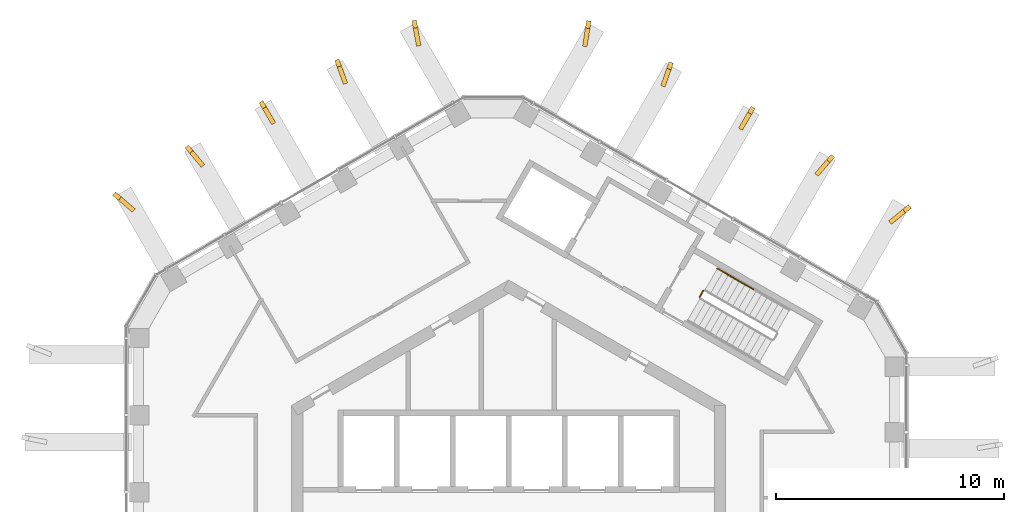
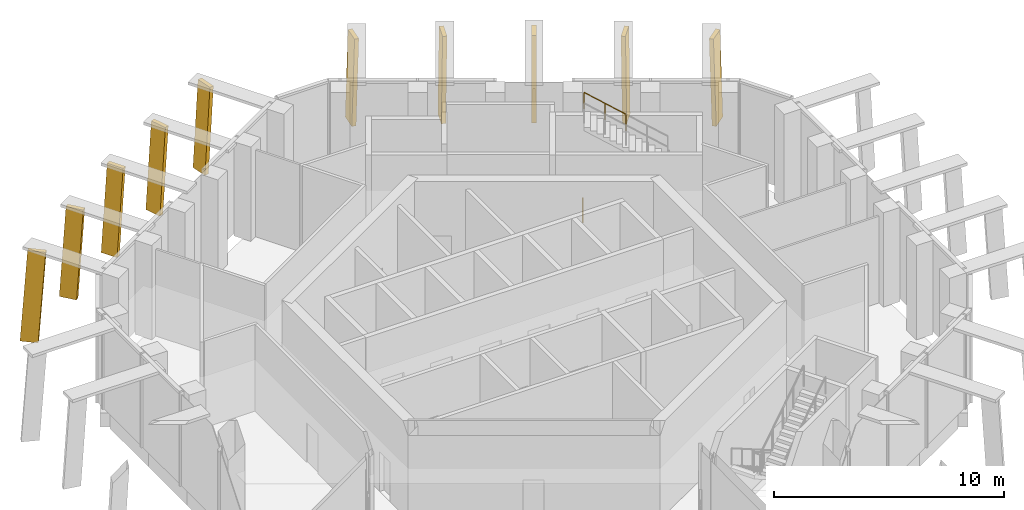
# One storey, part 17 of 17: 10 shading devices, 2 railings.
"""IFC4 building model written with IfcOpenShell, lengths in metres."""

from ifc_helpers import new_model, si_unit, direction, frame, origin, origin_2d, place, context, subcontext, project, spatial, polyline, circle, outline, extrude, material, layer, layer_set, type_object, element, save


model = new_model("IFC4")

# Units and contexts
model_context = context("Model", 3, precision=1e-05, world=origin(), true_north=direction((0.0, 1.0)))
body_context = subcontext(model_context, "Body", "Model", "MODEL_VIEW")
ifc_project = project(units=[si_unit("LENGTHUNIT", "METRE"), si_unit("AREAUNIT", "SQUARE_METRE"), si_unit("VOLUMEUNIT", "CUBIC_METRE"), si_unit("PLANEANGLEUNIT", "RADIAN"), si_unit("MASSUNIT", "GRAM", prefix="KILO")], contexts=[model_context])

# Site, building, storey
site_placement = place(None, origin())
site = spatial("IfcSite", under=ifc_project, at=site_placement, CompositionType="ELEMENT")
building_placement = place(site_placement, origin())
building = spatial("IfcBuilding", under=site, at=building_placement, Name="Ayvan Gate Tower", CompositionType="ELEMENT")
storey_placement = place(building_placement, frame((0.0, 0.0, 257.89990234375)))
storey = spatial("IfcBuildingStorey", under=building, at=storey_placement, Name="L69", CompositionType="ELEMENT", Elevation=257.89990234375)

# Shading devices
ifc_material_1 = material(Name="Bronze anodised aluminium", Category="aluminium")
ifc_layer = layer(ifc_material_1, 0.199951171875)
ifc_layer_set = layer_set([ifc_layer], Name="Bronze anodised aluminium")
shading_device_type = type_object("IfcShadingDeviceType", Name="Crown frame rib 800 x 200", PredefinedType="USERDEFINED", material=ifc_layer_set)
shading_device_1_placement = place(storey_placement, frame((-3.8974609375, 21.5673828125, 0.0), z_axis=(0.98320903261, 0.182482619957, 0.000302666456), x_axis=(-0.182482628315, 0.983209077645, 0.0)))
element("IfcShadingDevice", 1, at=shading_device_1_placement, inside=storey, type_object=shading_device_type, Name="CROWN FRAME rib FR07.3.1", ObjectType="FIN", PredefinedType="USERDEFINED", context=body_context, shape_type="SweptSolid", body=[
    extrude(outline(polyline([(0.0, 0.0), (0.8000547509531488, -6.776263578034403e-21), (0.46436380222495927, 4.8500978784014235), (-0.33569094872818966, 4.8500978784014235), (0.0, 0.0)])), origin(), (0.0, 0.0, -1.0), 0.199951171875),
])
shading_device_2_placement = place(storey_placement, frame((-7.152099609375, 19.894775390625, 0.0), z_axis=(0.939396273393, 0.34283310481, 0.000322151235), x_axis=(-0.342833122581, 0.939396322146, -6.3018e-08)))
element("IfcShadingDevice", 2, at=shading_device_2_placement, inside=storey, type_object=shading_device_type, Name="CROWN FRAME rib FR07.3.2", ObjectType="FIN", PredefinedType="USERDEFINED", context=body_context, shape_type="SweptSolid", body=[
    extrude(outline(polyline([(0.0, 0.0), (0.8001471856801454, 1.3552527156068805e-20), (0.4870858197557172, 4.850097938620287), (-0.31291572061203426, 4.850097837781858), (0.0, 0.0)])), origin(), (0.0, 0.0, -1.0), 0.199951171875),
])
shading_device_3_placement = place(storey_placement, frame((-10.353759765625, 18.13330078125, 0.0), z_axis=(0.8658855933, 0.500241976531, 0.000322849022), x_axis=(-0.500242002602, 0.865885638426, 0.0)))
element("IfcShadingDevice", 3, at=shading_device_3_placement, inside=storey, type_object=shading_device_type, Name="CROWN FRAME rib FR07.3.3", ObjectType="FIN", PredefinedType="USERDEFINED", context=body_context, shape_type="SweptSolid", body=[
    extrude(outline(polyline([(0.0, 0.0), (0.7999058101757314, 1.3552527156068805e-20), (0.4946075081874278, 4.8500979090164735), (-0.30529830198830354, 4.8500979090164735), (0.0, 0.0)])), origin(), (0.0, 0.0, -1.0), 0.199951171875),
])
shading_device_4_placement = place(storey_placement, frame((-13.500244140625, 16.269775390625, 0.0), z_axis=(0.766554956596, 0.642178629774, 0.000325544336), x_axis=(-0.642178663811, 0.766554997209, 3.1908e-08)))
element("IfcShadingDevice", 4, at=shading_device_4_placement, inside=storey, type_object=shading_device_type, Name="CROWN FRAME rib FR07.3.4", ObjectType="FIN", PredefinedType="USERDEFINED", context=body_context, shape_type="SweptSolid", body=[
    extrude(outline(polyline([(0.0, 0.0), (0.7997957779906886, 2.710505431213761e-20), (0.48702118317504206, 4.850097897714773), (-0.312961742031762, 4.850097948760204), (0.0, 0.0)])), origin(), (0.0, 0.0, -1.0), 0.199951171875),
])
shading_device_5_placement = place(storey_placement, frame((-16.599365234375, 14.31103515625, 0.0), z_axis=(0.649546469914, 0.760321836876, 0.000296295187), x_axis=(-0.760321870263, 0.649546498412, 6.3739e-08)))
element("IfcShadingDevice", 5, at=shading_device_5_placement, inside=storey, type_object=shading_device_type, Name="CROWN FRAME rib FR07.3.5", ObjectType="FIN", PredefinedType="USERDEFINED", context=body_context, shape_type="SweptSolid", body=[
    extrude(outline(polyline([(0.0, 0.0), (0.8000383421183881, 0.0), (0.46437004825626355, 4.850097839548803), (-0.33564124909360615, 4.850097941533702), (0.0, 0.0)])), origin(), (0.0, 0.0, -1.0), 0.199951171875),
])
shading_device_6_placement = place(storey_placement, frame((17.010498046875, 13.616455078125, 0.0), z_axis=(0.628557219693, -0.777763278154, 0.00032361728), x_axis=(0.77776331888, 0.628557252606, 0.0)))
element("IfcShadingDevice", 6, at=shading_device_6_placement, inside=storey, type_object=shading_device_type, Name="CROWN FRAME rib FR07.2.1", ObjectType="FIN", PredefinedType="USERDEFINED", context=body_context, shape_type="SweptSolid", body=[
    extrude(outline(polyline([(0.0, 0.0), (0.8001334570789522, 0.0), (0.4680391432687833, 4.8500979102208825), (-0.33209431381016885, 4.8500979102208825), (0.0, 0.0)])), origin(), (0.0, 0.0, -1.0), 0.199951171875),
])
shading_device_7_placement = place(storey_placement, frame((13.74462890625, 15.739013671875, 0.0), z_axis=(0.756308038143, -0.654215609265, 0.00029670542), x_axis=(0.65421563807, 0.756308071427, -3.4241e-08)))
element("IfcShadingDevice", 7, at=shading_device_7_placement, inside=storey, type_object=shading_device_type, Name="CROWN FRAME rib FR07.2.2", ObjectType="FIN", PredefinedType="USERDEFINED", context=body_context, shape_type="SweptSolid", body=[
    extrude(outline(polyline([(0.0, 0.0), (0.799992609623194, 0.0), (0.49426192667414137, 4.850097886661118), (-0.3055709623342895, 4.850097831881259), (0.0, 0.0)])), origin(), (0.0, 0.0, -1.0), 0.199951171875),
])
shading_device_8_placement = place(storey_placement, frame((10.3818359375, 17.781982421875, 0.0), z_axis=(0.866094079828, -0.499880938252, 0.000304071568), x_axis=(0.499880961361, 0.866094119867, 0.0)))
element("IfcShadingDevice", 8, at=shading_device_8_placement, inside=storey, type_object=shading_device_type, Name="CROWN FRAME rib FR07.2.3", ObjectType="FIN", PredefinedType="USERDEFINED", context=body_context, shape_type="SweptSolid", body=[
    extrude(outline(polyline([(0.0, 0.0), (0.7999951481672025, 0.0), (0.5031626639936155, 4.850097880468862), (-0.29683248417358704, 4.850097880468862), (0.0, 0.0)])), origin(), (0.0, 0.0, -1.0), 0.199951171875),
])
shading_device_9_placement = place(storey_placement, frame((6.94677734375, 19.707275390625, 0.0), z_axis=(0.944720883917, -0.327875513491, 0.000314872985), x_axis=(0.327875529731, 0.944720930753, 4.5387e-08)))
element("IfcShadingDevice", 9, at=shading_device_9_placement, inside=storey, type_object=shading_device_type, Name="CROWN FRAME rib FR07.2.4", ObjectType="FIN", PredefinedType="USERDEFINED", context=body_context, shape_type="SweptSolid", body=[
    extrude(outline(polyline([(0.0, 0.0), (0.8000474415389872, 0.0), (0.4943563434124971, 4.850097874244038), (-0.30577114586324095, 4.850097946871474), (0.0, 0.0)])), origin(), (0.0, 0.0, -1.0), 0.199951171875),
])
shading_device_10_placement = place(storey_placement, frame((3.484375, 21.5087890625, 0.0), z_axis=(0.987861701746, -0.155335683098, 0.000289447643), x_axis=(0.155335689605, 0.987861743127, 0.0)))
element("IfcShadingDevice", 10, at=shading_device_10_placement, inside=storey, type_object=shading_device_type, Name="CROWN FRAME rib FR07.2.5", ObjectType="FIN", PredefinedType="USERDEFINED", context=body_context, shape_type="SweptSolid", body=[
    extrude(outline(polyline([(0.0, 0.0), (0.7999937325470513, 6.776263578034403e-21), (0.4678633210078562, 4.850097859420454), (-0.3321304115391951, 4.850097859420454), (0.0, 0.0)])), origin(), (0.0, 0.0, -1.0), 0.199951171875),
])

# Railings
ifc_material_2 = material(Name="Stainless steel balustrade", Category="steel")
railing_type_1 = type_object("IfcRailingType", Name="RL-GUARD-1100", PredefinedType="GUARDRAIL", material=ifc_material_2)
railing_1_placement = place(storey_placement, frame((8.36279296875, 10.23486328125, 0.0)))
element("IfcRailing", 11, at=railing_1_placement, inside=storey, type_object=railing_type_1, Name="L69 STS1 stair guard 4", PredefinedType="GUARDRAIL", context=body_context, shape_type="SweptSolid", body=[
    extrude(circle(Radius=0.02392578125, at=origin_2d()), frame((0.0, 0.0, 1.076171875), z_axis=(0.500290723946, 0.86585748916, 0.0), x_axis=(-0.86585748916, 0.500290723946, 0.0)), (0.0, 0.0, 1.0), 0.309814453125),
    extrude(circle(Radius=0.02099609375, at=origin_2d()), origin(), (0.0, 0.0, 1.0), 1.052001953125),
    extrude(circle(Radius=0.02099609375, at=origin_2d()), frame((0.155029296875, 0.268310546875, 0.0)), (0.0, 0.0, 1.0), 1.052001953125),
])
railing_type_2 = type_object("IfcRailingType", Name="RL-HANDRAIL-900", PredefinedType="HANDRAIL", material=ifc_material_2)
railing_2_placement = place(storey_placement, frame((10.712158203125, 10.564208984375, 3.83935546875)))
element("IfcRailing", 12, at=railing_2_placement, inside=storey, type_object=railing_type_2, Name="L69 STS1 stair handrail 4", PredefinedType="HANDRAIL", context=body_context, shape_type="SweptSolid", body=[
    extrude(circle(Radius=0.02392578125, at=origin_2d()), frame((0.0, 0.0, 0.8759765625), z_axis=(-0.730198170753, 0.42153788451, 0.537695493148), x_axis=(-0.499962438169, -0.866047089031, 0.0)), (0.0, 0.0, 1.0), 2.158447265625),
    extrude(circle(Radius=0.02099609375, at=origin_2d()), origin(), (0.0, 0.0, 1.0), 0.851806640625),
    extrude(circle(Radius=0.02099609375, at=origin_2d()), frame((-0.7880859375, 0.455078125, 0.580322265625)), (0.0, 0.0, 1.0), 0.851806640625),
    extrude(circle(Radius=0.02099609375, at=origin_2d()), frame((-1.576171875, 0.909912109375, 1.16064453125)), (0.0, 0.0, 1.0), 0.851806640625),
])

save(model, "model.ifc")
